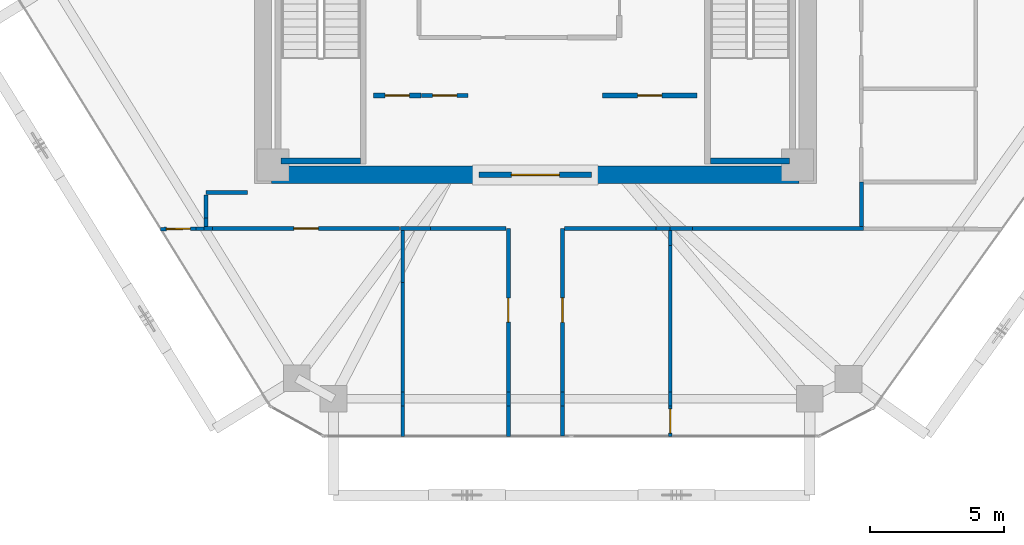
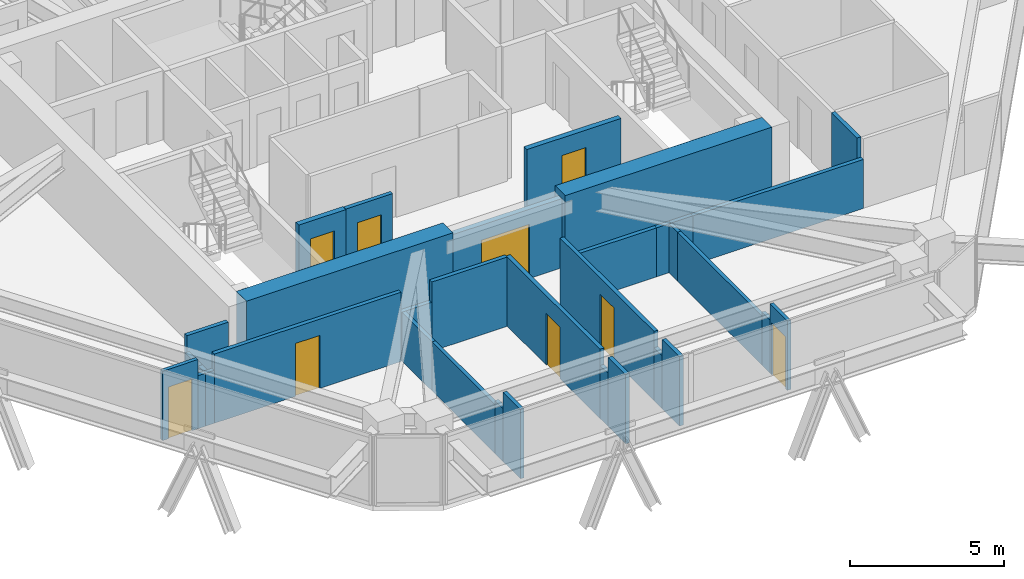
# One storey, part 10 of 15: 36 walls, 9 doors, 9 openings.
"""IFC4 building model written with IfcOpenShell, lengths in metres."""

from ifc_helpers import new_model, si_unit, direction, frame, frame_2d, origin, place, context, subcontext, project, spatial, rectangle, extrude, source, transform, mapped, material, layer, layer_set, type_object, type_shapes, element, fill, save


model = new_model("IFC4")

# Units and contexts
model_context = context("Model", 3, precision=1e-05, world=origin(), true_north=direction((0.0, 1.0)))
body_context = subcontext(model_context, "Body", "Model", "MODEL_VIEW")
ifc_project = project(units=[si_unit("LENGTHUNIT", "METRE"), si_unit("AREAUNIT", "SQUARE_METRE"), si_unit("VOLUMEUNIT", "CUBIC_METRE"), si_unit("PLANEANGLEUNIT", "RADIAN"), si_unit("MASSUNIT", "GRAM", prefix="KILO")], contexts=[model_context])

# Site, building, storey
site_placement = place(None, origin())
site = spatial("IfcSite", under=ifc_project, at=site_placement, CompositionType="ELEMENT")
building_placement = place(site_placement, origin())
building = spatial("IfcBuilding", under=site, at=building_placement, Name="Durnholm Broadcast Tower", CompositionType="ELEMENT")
storey_placement = place(building_placement, frame((0.0, 0.0, 206.199951171875)))
storey = spatial("IfcBuildingStorey", under=building, at=storey_placement, Name="L57", CompositionType="ELEMENT", Elevation=206.199951171875)

# Walls
ifc_material_1 = material(Name="Concrete C70/85", Category="concrete")
ifc_layer_1 = layer(ifc_material_1, 0.64990234375)
ifc_layer_set_1 = layer_set([ifc_layer_1], Name="Concrete C70/85")
wall_type_1 = type_object("IfcWallType", Name="WALL-CW-650", PredefinedType="SHEAR", material=ifc_layer_set_1)
for number, where, z_axis, x_axis, name in (
    (1, (-9.85009765625, -8.175048828125, 0.0), (0.0, 0.0, 1.0), (1.0, 0.0, 0.0), "L57 central core shear wall CW-S1"),
    (2, (2.10009765625, -8.175048828125, 0.0), (0.0, 0.0, 1.0), (1.0, 0.0, 0.0), "L57 central core shear wall CW-S2"),
):
    element("IfcWall", number, at=place(storey_placement, frame(where, z_axis=z_axis, x_axis=x_axis)), inside=storey, type_object=wall_type_1, Name=name, PredefinedType="SHEAR", context=body_context, shape_type="SweptSolid", body=[
        extrude(rectangle(XDim=7.75, YDim=0.64990234375, at=frame_2d((3.875, 0.0))), origin(), (0.0, 0.0, 1.0), 3.0),
    ])

# Wall, opening, door
ifc_material_2 = material(Name="Fire-Rated Gypsum Shaftwall", Category="concrete")
ifc_layer_2 = layer(ifc_material_2, 0.199951171875)
ifc_layer_set_2 = layer_set([ifc_layer_2], Name="Fire-Rated Gypsum Shaftwall")
wall_type_2 = type_object("IfcWallType", Name="WALL-LOB-200", PredefinedType="SOLIDWALL", material=ifc_layer_set_2)
wall_1_placement = place(storey_placement, frame((-2.10009765625, -8.175048828125, 0.0), z_axis=(0.0, 0.0, 1.0), x_axis=(1.0, 0.0, 0.0)))
wall_1 = element("IfcWall", 3, at=wall_1_placement, inside=storey, type_object=wall_type_2, Name="L57 south core lobby fire screen", PredefinedType="SOLIDWALL", context=body_context, shape_type="SweptSolid", body=[
    extrude(rectangle(XDim=4.2001953125, YDim=0.199951171875, at=frame_2d((2.10009765625, 0.0))), origin(), (0.0, 0.0, 1.0), 2.7451171875),
])
opening_1_placement = place(wall_1_placement, frame((1.199951171875, 0.0, 0.0)))
opening_1 = element("IfcOpeningElement", 4, at=opening_1_placement, cuts=wall_1, Name="Opening DP-60", PredefinedType="OPENING", context=body_context, shape_type="SweptSolid", body=[
    extrude(rectangle(XDim=1.800048828125, YDim=2.14990234375, at=frame_2d((0.89990234375, 1.074951171875))), frame((0.0, 0.10986328125, 0.0), z_axis=(0.0, -1.0, 0.0), x_axis=(1.0, 0.0, 0.0)), (0.0, 0.0, 1.0), 0.219970703125),
])
ifc_material_3 = material(Name="Fire-Rated Double Corridor Door", Category="steel")
ifc_layer_3 = layer(ifc_material_3, 0.050048828125)
ifc_layer_set_3 = layer_set([ifc_layer_3], Name="Fire-Rated Double Corridor Door")
door_type_1 = type_object("IfcDoorType", Name="DOOR-PAIR-FD60", OperationType="DOUBLE_DOOR_SINGLE_SWING", PredefinedType="DOOR", material=ifc_layer_set_3)
shared_shape_1 = source(origin(), body_context, "Body", "SweptSolid", [
    extrude(rectangle(XDim=1.800048828125, YDim=2.14990234375, at=frame_2d((0.89990234375, 1.074951171875))), frame((0.0, 0.02490234375, 0.0), z_axis=(0.0, -1.0, 0.0), x_axis=(1.0, 0.0, 0.0)), (0.0, 0.0, 1.0), 0.050048828125),
])
type_shapes(door_type_1, [shared_shape_1])
door_1_placement = place(opening_1_placement, origin())
door_1 = element("IfcDoor", 5, at=door_1_placement, inside=storey, type_object=door_type_1, Name="L57 south core lobby double fire door", OperationType="DOUBLE_DOOR_SINGLE_SWING", OverallHeight=2.14990234375, OverallWidth=1.800048828125, PredefinedType="DOOR", context=body_context, shape_type="MappedRepresentation", body=[
    mapped(shared_shape_1, transform((0.0, 0.0, 0.0), x_axis=(1.0, 0.0, 0.0), y_axis=(0.0, 1.0, 0.0), z_axis=(0.0, 0.0, 1.0), scale=1.0)),
])
fill(opening_1, door_1)

wall_2_placement = place(storey_placement, frame((-6.0400390625, -5.2099609375, 0.0), z_axis=(0.0, 0.0, 1.0), x_axis=(1.0, 0.0, 0.0)))
wall_2 = element("IfcWall", 6, at=wall_2_placement, inside=storey, type_object=wall_type_2, Name="L57 Media Fiber Patch Room corridor partition", PredefinedType="SOLIDWALL", context=body_context, shape_type="SweptSolid", body=[
    extrude(rectangle(XDim=1.760009765625, YDim=0.199951171875, at=frame_2d((0.8798828125, 0.0))), origin(), (0.0, 0.0, 1.0), 2.7451171875),
])
opening_2_placement = place(wall_2_placement, frame((0.429931640625, 0.0, 0.0)))
opening_2 = element("IfcOpeningElement", 7, at=opening_2_placement, cuts=wall_2, Name="Opening DC-60R", PredefinedType="OPENING", context=body_context, shape_type="SweptSolid", body=[
    extrude(rectangle(XDim=0.89990234375, YDim=2.050048828125, at=frame_2d((0.449951171875, 1.02490234375))), frame((0.0, 0.10986328125, 0.0), z_axis=(0.0, -1.0, 0.0), x_axis=(1.0, 0.0, 0.0)), (0.0, 0.0, 1.0), 0.219970703125),
])
ifc_material_4 = material(Name="Fire-Rated Core Service Door", Category="steel")
ifc_layer_4 = layer(ifc_material_4, 0.050048828125)
ifc_layer_set_4 = layer_set([ifc_layer_4], Name="Fire-Rated Core Service Door")
door_type_2 = type_object("IfcDoorType", Name="DOOR-CORE-FD60-R", OperationType="NOTDEFINED", PredefinedType="DOOR", material=ifc_layer_set_4)
shared_shape_2 = source(origin(), body_context, "Body", "SweptSolid", [
    extrude(rectangle(XDim=0.89990234375, YDim=2.050048828125, at=frame_2d((0.449951171875, 1.02490234375))), frame((0.0, 0.02490234375, 0.0), z_axis=(0.0, -1.0, 0.0), x_axis=(1.0, 0.0, 0.0)), (0.0, 0.0, 1.0), 0.050048828125),
])
type_shapes(door_type_2, [shared_shape_2])
door_2_placement = place(opening_2_placement, origin())
door_2 = element("IfcDoor", 8, at=door_2_placement, inside=storey, type_object=door_type_2, Name="L57 Media Fiber Patch Room entrance door", OperationType="SINGLE_SWING_RIGHT", OverallHeight=2.050048828125, OverallWidth=0.89990234375, PredefinedType="DOOR", context=body_context, shape_type="MappedRepresentation", body=[
    mapped(shared_shape_2, transform((0.0, 0.0, 0.0), x_axis=(1.0, 0.0, 0.0), y_axis=(0.0, 1.0, 0.0), z_axis=(0.0, 0.0, 1.0), scale=1.0)),
])
fill(opening_2, door_2)

wall_3_placement = place(storey_placement, frame((2.510009765625, -5.2099609375, 0.0), z_axis=(0.0, 0.0, 1.0), x_axis=(1.0, 0.0, 0.0)))
wall_3 = element("IfcWall", 9, at=wall_3_placement, inside=storey, type_object=wall_type_2, Name="L57 Telemetry Control Closet corridor partition", PredefinedType="SOLIDWALL", context=body_context, shape_type="SweptSolid", body=[
    extrude(rectangle(XDim=3.530029296875, YDim=0.199951171875, at=frame_2d((1.76513671875, 0.0))), origin(), (0.0, 0.0, 1.0), 2.7451171875),
])
opening_3_placement = place(wall_3_placement, frame((1.31494140625, 0.0, 0.0)))
opening_3 = element("IfcOpeningElement", 10, at=opening_3_placement, cuts=wall_3, Name="Opening DC-60R", PredefinedType="OPENING", context=body_context, shape_type="SweptSolid", body=[
    extrude(rectangle(XDim=0.89990234375, YDim=2.050048828125, at=frame_2d((0.449951171875, 1.02490234375))), frame((0.0, 0.10986328125, 0.0), z_axis=(0.0, -1.0, 0.0), x_axis=(1.0, 0.0, 0.0)), (0.0, 0.0, 1.0), 0.219970703125),
])
door_3_placement = place(opening_3_placement, origin())
door_3 = element("IfcDoor", 11, at=door_3_placement, inside=storey, type_object=door_type_2, Name="L57 Telemetry Control Closet entrance door", OperationType="SINGLE_SWING_RIGHT", OverallHeight=2.050048828125, OverallWidth=0.89990234375, PredefinedType="DOOR", context=body_context, shape_type="MappedRepresentation", body=[
    mapped(shared_shape_2, transform((0.0, 0.0, 0.0), x_axis=(1.0, 0.0, 0.0), y_axis=(0.0, 1.0, 0.0), z_axis=(0.0, 0.0, 1.0), scale=1.0)),
])
fill(opening_3, door_3)

# Walls
ifc_material_5 = material(Name="Gypsum Metal Stud Partition", Category="concrete")
ifc_layer_5 = layer(ifc_material_5, 0.135009765625)
ifc_layer_set_5 = layer_set([ifc_layer_5], Name="Gypsum Metal Stud Partition")
wall_type_3 = type_object("IfcWallType", Name="WALL-PART-135", PredefinedType="PARTITIONING", material=ifc_layer_set_5)
wall_4_placement = place(storey_placement, frame((-4.9599609375, -12.198974609375, 0.0), z_axis=(0.0, 0.0, 1.0), x_axis=(0.0, -1.0, 0.0)))
element("IfcWall", 12, at=wall_4_placement, inside=storey, type_object=wall_type_3, Name="L57 room dividing partition 19.20", PredefinedType="PARTITIONING", context=body_context, shape_type="SweptSolid", body=[
    extrude(rectangle(XDim=4.08056640625, YDim=0.135009765625, at=frame_2d((2.040283203125, 0.0))), origin(), (0.0, 0.0, 1.0), 1.94189453125),
])
wall_5_placement = place(storey_placement, frame((-4.9599609375, -16.804443359375, 0.0), z_axis=(0.0, 0.0, 1.0), x_axis=(0.0, -1.0, 0.0)))
element("IfcWall", 13, at=wall_5_placement, inside=storey, type_object=wall_type_3, Name="L57 room dividing partition 19.20", PredefinedType="PARTITIONING", context=body_context, shape_type="SweptSolid", body=[
    extrude(rectangle(XDim=1.137451171875, YDim=0.135009765625, at=frame_2d((0.56884765625, 0.0))), origin(), (0.0, 0.0, 1.0), 2.7451171875),
])
wall_6_placement = place(storey_placement, frame((-4.9599609375, -10.259033203125, 0.0), z_axis=(0.0, 0.0, 1.0), x_axis=(0.0, -1.0, 0.0)))
element("IfcWall", 14, at=wall_6_placement, inside=storey, type_object=wall_type_3, Name="L57 room dividing partition 19.20", PredefinedType="PARTITIONING", context=body_context, shape_type="SweptSolid", body=[
    extrude(rectangle(XDim=1.93994140625, YDim=0.135009765625, at=frame_2d((0.969970703125, 0.0))), origin(), (0.0, 0.0, 1.0), 1.94189453125),
])
wall_7_placement = place(storey_placement, frame((-4.9599609375, -16.279541015625, 0.0), z_axis=(0.0, 0.0, 1.0), x_axis=(0.0, -1.0, 0.0)))
element("IfcWall", 15, at=wall_7_placement, inside=storey, type_object=wall_type_3, Name="L57 room dividing partition 19.20", PredefinedType="PARTITIONING", context=body_context, shape_type="SweptSolid", body=[
    extrude(rectangle(XDim=0.52490234375, YDim=0.135009765625, at=frame_2d((0.262451171875, 0.0))), origin(), (0.0, 0.0, 1.0), 2.098876953125),
])

# Wall, opening, door
wall_8_placement = place(storey_placement, frame((-14.00390625, -10.200927734375, 0.0), z_axis=(0.0, 0.0, 1.0), x_axis=(0.999924024946, 0.012326570317, 0.0)))
wall_8 = element("IfcWall", 16, at=wall_8_placement, inside=storey, type_object=wall_type_3, Name="L57 room dividing partition 19.23", PredefinedType="PARTITIONING", context=body_context, shape_type="SweptSolid", body=[
    extrude(rectangle(XDim=1.326904296875, YDim=0.135009765625, at=frame_2d((0.66357421875, 0.0))), origin(), (0.0, 0.0, 1.0), 2.7451171875),
])
opening_4_placement = place(wall_8_placement, frame((0.213623046875, 0.0, 0.0)))
opening_4 = element("IfcOpeningElement", 17, at=opening_4_placement, cuts=wall_8, Name="Opening DW-90L", PredefinedType="OPENING", context=body_context, shape_type="SweptSolid", body=[
    extrude(rectangle(XDim=0.89990234375, YDim=2.050048828125, at=frame_2d((0.449951171875, 1.02490234375))), frame((0.0, 0.07763671875, 0.0), z_axis=(0.0, -1.0, 0.0), x_axis=(1.0, 0.0, 0.0)), (0.0, 0.0, 1.0), 0.155029296875),
])
ifc_material_6 = material(Name="Laminate Restroom Door", Category="steel")
ifc_layer_6 = layer(ifc_material_6, 0.050048828125)
ifc_layer_set_6 = layer_set([ifc_layer_6], Name="Laminate Restroom Door")
door_type_3 = type_object("IfcDoorType", Name="DOOR-WC-900L", OperationType="NOTDEFINED", PredefinedType="DOOR", material=ifc_layer_set_6)
shared_shape_3 = source(origin(), body_context, "Body", "SweptSolid", [
    extrude(rectangle(XDim=0.89990234375, YDim=2.050048828125, at=frame_2d((0.449951171875, 1.02490234375))), frame((0.0, 0.02490234375, 0.0), z_axis=(0.0, -1.0, 0.0), x_axis=(1.0, 0.0, 0.0)), (0.0, 0.0, 1.0), 0.050048828125),
])
type_shapes(door_type_3, [shared_shape_3])
door_4_placement = place(opening_4_placement, origin())
door_4 = element("IfcDoor", 18, at=door_4_placement, inside=storey, type_object=door_type_3, Name="L57 Licensing Meeting Room connecting door", OperationType="SINGLE_SWING_LEFT", OverallHeight=2.050048828125, OverallWidth=0.89990234375, PredefinedType="DOOR", context=body_context, shape_type="MappedRepresentation", body=[
    mapped(shared_shape_3, transform((0.0, 0.0, 0.0), x_axis=(1.0, 0.0, 0.0), y_axis=(0.0, 1.0, 0.0), z_axis=(0.0, 0.0, 1.0), scale=1.0)),
])
fill(opening_4, door_4)

# Walls
wall_9_placement = place(storey_placement, frame((-12.677001953125, -10.1845703125, 0.0), z_axis=(0.0, 0.0, 1.0), x_axis=(0.99991866361, 0.012754064587, 0.0)))
element("IfcWall", 19, at=wall_9_placement, inside=storey, type_object=wall_type_3, Name="L57 room dividing partition 19.23", PredefinedType="PARTITIONING", context=body_context, shape_type="SweptSolid", body=[
    extrude(rectangle(XDim=0.287109375, YDim=0.135009765625, at=frame_2d((0.1435546875, 0.0))), origin(), (0.0, 0.0, 1.0), 2.098876953125),
])
wall_10_placement = place(storey_placement, frame((5.0400390625, -10.806884765625, 0.0), z_axis=(0.0, 0.0, 1.0), x_axis=(0.0, -1.0, 0.0)))
element("IfcWall", 20, at=wall_10_placement, inside=storey, type_object=wall_type_3, Name="L57 room dividing partition 21.22", PredefinedType="PARTITIONING", context=body_context, shape_type="SweptSolid", body=[
    extrude(rectangle(XDim=5.47265625, YDim=0.135009765625, at=frame_2d((2.736328125, 0.0))), origin(), (0.0, 0.0, 1.0), 1.94189453125),
])

# Wall, opening, door
wall_11_placement = place(storey_placement, frame((5.0400390625, -16.804443359375, 0.0), z_axis=(0.0, 0.0, 1.0), x_axis=(0.0, -1.0, 0.0)))
wall_11 = element("IfcWall", 21, at=wall_11_placement, inside=storey, type_object=wall_type_3, Name="L57 room dividing partition 21.22", PredefinedType="PARTITIONING", context=body_context, shape_type="SweptSolid", body=[
    extrude(rectangle(XDim=1.137451171875, YDim=0.135009765625, at=frame_2d((0.56884765625, 0.0))), origin(), (0.0, 0.0, 1.0), 2.7451171875),
])
opening_5_placement = place(wall_11_placement, frame((0.11865234375, 0.0, 0.0)))
opening_5 = element("IfcOpeningElement", 22, at=opening_5_placement, cuts=wall_11, Name="Opening DW-90L", PredefinedType="OPENING", context=body_context, shape_type="SweptSolid", body=[
    extrude(rectangle(XDim=0.89990234375, YDim=2.050048828125, at=frame_2d((0.449951171875, 1.02490234375))), frame((0.0, 0.07763671875, 0.0), z_axis=(0.0, -1.0, 0.0), x_axis=(1.0, 0.0, 0.0)), (0.0, 0.0, 1.0), 0.155029296875),
])
door_5_placement = place(opening_5_placement, origin())
door_5 = element("IfcDoor", 23, at=door_5_placement, inside=storey, type_object=door_type_3, Name="L57 Soundtrack Mixing Office connecting door", OperationType="SINGLE_SWING_LEFT", OverallHeight=2.050048828125, OverallWidth=0.89990234375, PredefinedType="DOOR", context=body_context, shape_type="MappedRepresentation", body=[
    mapped(shared_shape_3, transform((0.0, 0.0, 0.0), x_axis=(1.0, 0.0, 0.0), y_axis=(0.0, 1.0, 0.0), z_axis=(0.0, 0.0, 1.0), scale=1.0)),
])
fill(opening_5, door_5)

# Walls
wall_12_placement = place(storey_placement, frame((5.0400390625, -10.259033203125, 0.0), z_axis=(0.0, 0.0, 1.0), x_axis=(0.0, -1.0, 0.0)))
element("IfcWall", 24, at=wall_12_placement, inside=storey, type_object=wall_type_3, Name="L57 room dividing partition 21.22", PredefinedType="PARTITIONING", context=body_context, shape_type="SweptSolid", body=[
    extrude(rectangle(XDim=0.5478515625, YDim=0.135009765625, at=frame_2d((0.27392578125, 0.0))), origin(), (0.0, 0.0, 1.0), 1.94189453125),
])
wall_13_placement = place(storey_placement, frame((5.0400390625, -16.279541015625, 0.0), z_axis=(0.0, 0.0, 1.0), x_axis=(0.0, -1.0, 0.0)))
element("IfcWall", 25, at=wall_13_placement, inside=storey, type_object=wall_type_3, Name="L57 room dividing partition 21.22", PredefinedType="PARTITIONING", context=body_context, shape_type="SweptSolid", body=[
    extrude(rectangle(XDim=0.52490234375, YDim=0.135009765625, at=frame_2d((0.262451171875, 0.0))), origin(), (0.0, 0.0, 1.0), 2.098876953125),
])

# Wall, opening, door
ifc_material_7 = material(Name="Acoustic Gypsum Stud Partition", Category="concrete")
ifc_layer_7 = layer(ifc_material_7, 0.14990234375)
ifc_layer_set_7 = layer_set([ifc_layer_7], Name="Acoustic Gypsum Stud Partition")
wall_type_4 = type_object("IfcWallType", Name="WALL-PART-150", PredefinedType="PARTITIONING", material=ifc_layer_set_7)
wall_14_placement = place(storey_placement, frame((-4.260009765625, -5.2099609375, 0.0), z_axis=(0.0, 0.0, 1.0), x_axis=(1.0, 0.0, 0.0)))
wall_14 = element("IfcWall", 26, at=wall_14_placement, inside=storey, type_object=wall_type_4, Name="L57 Copy and Print Room corridor partition", PredefinedType="PARTITIONING", context=body_context, shape_type="SweptSolid", body=[
    extrude(rectangle(XDim=1.75, YDim=0.14990234375, at=frame_2d((0.875, 0.0))), origin(), (0.0, 0.0, 1.0), 2.7451171875),
])
opening_6_placement = place(wall_14_placement, frame((0.425048828125, 0.0, 0.0)))
opening_6 = element("IfcOpeningElement", 27, at=opening_6_placement, cuts=wall_14, Name="Opening DC-60L", PredefinedType="OPENING", context=body_context, shape_type="SweptSolid", body=[
    extrude(rectangle(XDim=0.89990234375, YDim=2.050048828125, at=frame_2d((0.449951171875, 1.02490234375))), frame((0.0, 0.0849609375, 0.0), z_axis=(0.0, -1.0, 0.0), x_axis=(1.0, 0.0, 0.0)), (0.0, 0.0, 1.0), 0.169921875),
])
ifc_layer_8 = layer(ifc_material_4, 0.050048828125)
ifc_layer_set_8 = layer_set([ifc_layer_8], Name="Fire-Rated Core Service Door")
door_type_4 = type_object("IfcDoorType", Name="DOOR-CORE-FD60-L", OperationType="NOTDEFINED", PredefinedType="DOOR", material=ifc_layer_set_8)
shared_shape_4 = source(origin(), body_context, "Body", "SweptSolid", [
    extrude(rectangle(XDim=0.89990234375, YDim=2.050048828125, at=frame_2d((0.449951171875, 1.02490234375))), frame((0.0, 0.02490234375, 0.0), z_axis=(0.0, -1.0, 0.0), x_axis=(1.0, 0.0, 0.0)), (0.0, 0.0, 1.0), 0.050048828125),
])
type_shapes(door_type_4, [shared_shape_4])
door_6_placement = place(opening_6_placement, origin())
door_6 = element("IfcDoor", 28, at=door_6_placement, inside=storey, type_object=door_type_4, Name="L57 Copy and Print Room entrance door", OperationType="SINGLE_SWING_LEFT", OverallHeight=2.050048828125, OverallWidth=0.89990234375, PredefinedType="DOOR", context=body_context, shape_type="MappedRepresentation", body=[
    mapped(shared_shape_4, transform((0.0, 0.0, 0.0), x_axis=(1.0, 0.0, 0.0), y_axis=(0.0, 1.0, 0.0), z_axis=(0.0, 0.0, 1.0), scale=1.0)),
])
fill(opening_6, door_6)

wall_15_placement = place(storey_placement, frame((-12.0625, -10.179931640625, 0.0), z_axis=(0.0, 0.0, 1.0), x_axis=(1.0, 0.0, 0.0)))
wall_15 = element("IfcWall", 29, at=wall_15_placement, inside=storey, type_object=wall_type_4, Name="L57 Open Plan Broadcast Workspace 2 corridor partition", PredefinedType="PARTITIONING", context=body_context, shape_type="SweptSolid", body=[
    extrude(rectangle(XDim=6.992431640625, YDim=0.14990234375, at=frame_2d((3.49609375, 0.0))), origin(), (0.0, 0.0, 1.0), 2.7451171875),
])
opening_7_placement = place(wall_15_placement, frame((3.0361328125, 0.0, 0.0)))
opening_7 = element("IfcOpeningElement", 30, at=opening_7_placement, cuts=wall_15, Name="Opening DR-92R", PredefinedType="OPENING", context=body_context, shape_type="SweptSolid", body=[
    extrude(rectangle(XDim=0.919921875, YDim=2.10009765625, at=frame_2d((0.4599609375, 1.050048828125))), frame((0.0, 0.0849609375, 0.0), z_axis=(0.0, -1.0, 0.0), x_axis=(1.0, 0.0, 0.0)), (0.0, 0.0, 1.0), 0.169921875),
])
ifc_material_8 = material(Name="Oak Veneer Office Door", Category="wood")
ifc_layer_9 = layer(ifc_material_8, 0.050048828125)
ifc_layer_set_9 = layer_set([ifc_layer_9], Name="Oak Veneer Office Door")
door_type_5 = type_object("IfcDoorType", Name="DOOR-RM-920R", OperationType="NOTDEFINED", PredefinedType="DOOR", material=ifc_layer_set_9)
shared_shape_5 = source(origin(), body_context, "Body", "SweptSolid", [
    extrude(rectangle(XDim=0.919921875, YDim=2.10009765625, at=frame_2d((0.4599609375, 1.050048828125))), frame((0.0, 0.02490234375, 0.0), z_axis=(0.0, -1.0, 0.0), x_axis=(1.0, 0.0, 0.0)), (0.0, 0.0, 1.0), 0.050048828125),
])
type_shapes(door_type_5, [shared_shape_5])
door_7_placement = place(opening_7_placement, origin())
door_7 = element("IfcDoor", 31, at=door_7_placement, inside=storey, type_object=door_type_5, Name="L57 Open Plan Broadcast Workspace 2 entrance door", OperationType="SINGLE_SWING_RIGHT", OverallHeight=2.10009765625, OverallWidth=0.919921875, PredefinedType="DOOR", context=body_context, shape_type="MappedRepresentation", body=[
    mapped(shared_shape_5, transform((0.0, 0.0, 0.0), x_axis=(1.0, 0.0, 0.0), y_axis=(0.0, 1.0, 0.0), z_axis=(0.0, 0.0, 1.0), scale=1.0)),
])
fill(opening_7, door_7)

# Wall
wall_16_placement = place(storey_placement, frame((-12.389892578125, -10.179931640625, 0.0), z_axis=(0.0, 0.0, 1.0), x_axis=(1.0, 0.0, 0.0)))
element("IfcWall", 32, at=wall_16_placement, inside=storey, type_object=wall_type_4, Name="L57 Open Plan Broadcast Workspace 2 corridor partition", PredefinedType="PARTITIONING", context=body_context, shape_type="SweptSolid", body=[
    extrude(rectangle(XDim=0.327392578125, YDim=0.14990234375, at=frame_2d((0.16357421875, 0.0))), origin(), (0.0, 0.0, 1.0), 2.098876953125),
])

# Wall, opening, door
wall_17_placement = place(storey_placement, frame((-1.010009765625, -10.179931640625, 0.0), z_axis=(0.0, 0.0, 1.0), x_axis=(0.0, -1.0, 0.0)))
wall_17 = element("IfcWall", 33, at=wall_17_placement, inside=storey, type_object=wall_type_4, Name="L57 Music Archive Office corridor partition", PredefinedType="PARTITIONING", context=body_context, shape_type="SweptSolid", body=[
    extrude(rectangle(XDim=6.099609375, YDim=0.14990234375, at=frame_2d((3.0498046875, 0.0))), origin(), (0.0, 0.0, 1.0), 2.7451171875),
])
opening_8_placement = place(wall_17_placement, frame((2.599609375, 0.0, 0.0)))
opening_8 = element("IfcOpeningElement", 34, at=opening_8_placement, cuts=wall_17, Name="Opening DC-60L", PredefinedType="OPENING", context=body_context, shape_type="SweptSolid", body=[
    extrude(rectangle(XDim=0.89990234375, YDim=2.050048828125, at=frame_2d((0.449951171875, 1.02490234375))), frame((0.0, 0.0849609375, 0.0), z_axis=(0.0, -1.0, 0.0), x_axis=(1.0, 0.0, 0.0)), (0.0, 0.0, 1.0), 0.169921875),
])
door_8_placement = place(opening_8_placement, origin())
door_8 = element("IfcDoor", 35, at=door_8_placement, inside=storey, type_object=door_type_4, Name="L57 Music Archive Office entrance door", OperationType="SINGLE_SWING_LEFT", OverallHeight=2.050048828125, OverallWidth=0.89990234375, PredefinedType="DOOR", context=body_context, shape_type="MappedRepresentation", body=[
    mapped(shared_shape_4, transform((0.0, 0.0, 0.0), x_axis=(1.0, 0.0, 0.0), y_axis=(0.0, 1.0, 0.0), z_axis=(0.0, 0.0, 1.0), scale=1.0)),
])
fill(opening_8, door_8)

# Walls
wall_18_placement = place(storey_placement, frame((-1.010009765625, -16.804443359375, 0.0), z_axis=(0.0, 0.0, 1.0), x_axis=(0.0, -1.0, 0.0)))
element("IfcWall", 36, at=wall_18_placement, inside=storey, type_object=wall_type_4, Name="L57 Music Archive Office corridor partition", PredefinedType="PARTITIONING", context=body_context, shape_type="SweptSolid", body=[
    extrude(rectangle(XDim=1.137451171875, YDim=0.14990234375, at=frame_2d((0.56884765625, 0.0))), origin(), (0.0, 0.0, 1.0), 2.7451171875),
])
wall_19_placement = place(storey_placement, frame((-1.010009765625, -16.279541015625, 0.0), z_axis=(0.0, 0.0, 1.0), x_axis=(0.0, -1.0, 0.0)))
element("IfcWall", 37, at=wall_19_placement, inside=storey, type_object=wall_type_4, Name="L57 Music Archive Office corridor partition", PredefinedType="PARTITIONING", context=body_context, shape_type="SweptSolid", body=[
    extrude(rectangle(XDim=0.52490234375, YDim=0.14990234375, at=frame_2d((0.262451171875, 0.0))), origin(), (0.0, 0.0, 1.0), 2.098876953125),
])
wall_20_placement = place(storey_placement, frame((-3.912841796875, -10.179931640625, 0.0), z_axis=(0.0, 0.0, 1.0), x_axis=(1.0, 0.0, 0.0)))
element("IfcWall", 38, at=wall_20_placement, inside=storey, type_object=wall_type_4, Name="L57 Music Archive Office corridor partition", PredefinedType="PARTITIONING", context=body_context, shape_type="SweptSolid", body=[
    extrude(rectangle(XDim=2.82373046875, YDim=0.14990234375, at=frame_2d((1.411865234375, 0.0))), origin(), (0.0, 0.0, 1.0), 2.7451171875),
])
wall_21_placement = place(storey_placement, frame((-5.0400390625, -10.179931640625, 0.0), z_axis=(0.0, 0.0, 1.0), x_axis=(1.0, 0.0, 0.0)))
element("IfcWall", 39, at=wall_21_placement, inside=storey, type_object=wall_type_4, Name="L57 Music Archive Office corridor partition", PredefinedType="PARTITIONING", context=body_context, shape_type="SweptSolid", body=[
    extrude(rectangle(XDim=1.127197265625, YDim=0.14990234375, at=frame_2d((0.5634765625, 0.0))), origin(), (0.0, 0.0, 1.0), 1.94189453125),
])
wall_22_placement = place(storey_placement, frame((1.010009765625, -17.94189453125, 0.0), z_axis=(0.0, 0.0, 1.0), x_axis=(0.0, 1.0, 0.0)))
element("IfcWall", 40, at=wall_22_placement, inside=storey, type_object=wall_type_4, Name="L57 Music Rights Office corridor partition", PredefinedType="PARTITIONING", context=body_context, shape_type="SweptSolid", body=[
    extrude(rectangle(XDim=1.137451171875, YDim=0.14990234375, at=frame_2d((0.56884765625, 0.0))), origin(), (0.0, 0.0, 1.0), 2.7451171875),
])

# Wall, opening, door
wall_23_placement = place(storey_placement, frame((1.010009765625, -16.279541015625, 0.0), z_axis=(0.0, 0.0, 1.0), x_axis=(0.0, 1.0, 0.0)))
wall_23 = element("IfcWall", 41, at=wall_23_placement, inside=storey, type_object=wall_type_4, Name="L57 Music Rights Office corridor partition", PredefinedType="PARTITIONING", context=body_context, shape_type="SweptSolid", body=[
    extrude(rectangle(XDim=6.099609375, YDim=0.14990234375, at=frame_2d((3.0498046875, 0.0))), origin(), (0.0, 0.0, 1.0), 2.7451171875),
])
opening_9_placement = place(wall_23_placement, frame((2.589599609375, 0.0, 0.0)))
opening_9 = element("IfcOpeningElement", 42, at=opening_9_placement, cuts=wall_23, Name="Opening DR-92R", PredefinedType="OPENING", context=body_context, shape_type="SweptSolid", body=[
    extrude(rectangle(XDim=0.919921875, YDim=2.10009765625, at=frame_2d((0.4599609375, 1.050048828125))), frame((0.0, 0.0849609375, 0.0), z_axis=(0.0, -1.0, 0.0), x_axis=(1.0, 0.0, 0.0)), (0.0, 0.0, 1.0), 0.169921875),
])
door_9_placement = place(opening_9_placement, origin())
door_9 = element("IfcDoor", 43, at=door_9_placement, inside=storey, type_object=door_type_5, Name="L57 Music Rights Office entrance door", OperationType="SINGLE_SWING_RIGHT", OverallHeight=2.10009765625, OverallWidth=0.919921875, PredefinedType="DOOR", context=body_context, shape_type="MappedRepresentation", body=[
    mapped(shared_shape_5, transform((0.0, 0.0, 0.0), x_axis=(1.0, 0.0, 0.0), y_axis=(0.0, 1.0, 0.0), z_axis=(0.0, 0.0, 1.0), scale=1.0)),
])
fill(opening_9, door_9)

# Walls
wall_24_placement = place(storey_placement, frame((1.010009765625, -16.804443359375, 0.0), z_axis=(0.0, 0.0, 1.0), x_axis=(0.0, 1.0, 0.0)))
element("IfcWall", 44, at=wall_24_placement, inside=storey, type_object=wall_type_4, Name="L57 Music Rights Office corridor partition", PredefinedType="PARTITIONING", context=body_context, shape_type="SweptSolid", body=[
    extrude(rectangle(XDim=0.52490234375, YDim=0.14990234375, at=frame_2d((0.262451171875, 0.0))), origin(), (0.0, 0.0, 1.0), 2.098876953125),
])
wall_25_placement = place(storey_placement, frame((1.089111328125, -10.179931640625, 0.0), z_axis=(0.0, 0.0, 1.0), x_axis=(1.0, 0.0, 0.0)))
element("IfcWall", 45, at=wall_25_placement, inside=storey, type_object=wall_type_4, Name="L57 Music Rights Office corridor partition", PredefinedType="PARTITIONING", context=body_context, shape_type="SweptSolid", body=[
    extrude(rectangle(XDim=3.422119140625, YDim=0.14990234375, at=frame_2d((1.7109375, 0.0))), origin(), (0.0, 0.0, 1.0), 1.94189453125),
])
wall_26_placement = place(storey_placement, frame((4.51123046875, -10.179931640625, 0.0), z_axis=(0.0, 0.0, 1.0), x_axis=(1.0, 0.0, 0.0)))
element("IfcWall", 46, at=wall_26_placement, inside=storey, type_object=wall_type_4, Name="L57 Music Rights Office corridor partition", PredefinedType="PARTITIONING", context=body_context, shape_type="SweptSolid", body=[
    extrude(rectangle(XDim=0.52880859375, YDim=0.14990234375, at=frame_2d((0.264404296875, 0.0))), origin(), (0.0, 0.0, 1.0), 1.94189453125),
])
wall_27_placement = place(storey_placement, frame((5.86962890625, -10.179931640625, 0.0), z_axis=(0.0, 0.0, 1.0), x_axis=(1.0, 0.0, 0.0)))
element("IfcWall", 47, at=wall_27_placement, inside=storey, type_object=wall_type_4, Name="L57 Soundtrack Mixing Office corridor partition", PredefinedType="PARTITIONING", context=body_context, shape_type="SweptSolid", body=[
    extrude(rectangle(XDim=6.390380859375, YDim=0.14990234375, at=frame_2d((3.1953125, 0.0))), origin(), (0.0, 0.0, 1.0), 1.94189453125),
])
wall_28_placement = place(storey_placement, frame((5.0400390625, -10.179931640625, 0.0), z_axis=(0.0, 0.0, 1.0), x_axis=(1.0, 0.0, 0.0)))
element("IfcWall", 48, at=wall_28_placement, inside=storey, type_object=wall_type_4, Name="L57 Soundtrack Mixing Office corridor partition", PredefinedType="PARTITIONING", context=body_context, shape_type="SweptSolid", body=[
    extrude(rectangle(XDim=0.82958984375, YDim=0.14990234375, at=frame_2d((0.414794921875, 0.0))), origin(), (0.0, 0.0, 1.0), 1.94189453125),
])
wall_29_placement = place(storey_placement, frame((-10.760009765625, -8.840087890625, 0.0), z_axis=(0.0, 0.0, 1.0), x_axis=(-1.0, 0.0, 0.0)))
element("IfcWall", 49, at=wall_29_placement, inside=storey, type_object=wall_type_4, Name="L57 Licensing Meeting Room corridor partition", PredefinedType="PARTITIONING", context=body_context, shape_type="SweptSolid", body=[
    extrude(rectangle(XDim=1.550048828125, YDim=0.14990234375, at=frame_2d((0.77490234375, 0.0))), origin(), (0.0, 0.0, 1.0), 2.7451171875),
])
wall_30_placement = place(storey_placement, frame((-12.31005859375, -8.9189453125, 0.0), z_axis=(0.0, 0.0, 1.0), x_axis=(0.0, -1.0, 0.0)))
element("IfcWall", 50, at=wall_30_placement, inside=storey, type_object=wall_type_4, Name="L57 Licensing Meeting Room corridor partition", PredefinedType="PARTITIONING", context=body_context, shape_type="SweptSolid", body=[
    extrude(rectangle(XDim=0.8603515625, YDim=0.14990234375, at=frame_2d((0.43017578125, 0.0))), origin(), (0.0, 0.0, 1.0), 2.098876953125),
])
wall_31_placement = place(storey_placement, frame((-12.31005859375, -9.779296875, 0.0), z_axis=(0.0, 0.0, 1.0), x_axis=(0.0, -1.0, 0.0)))
element("IfcWall", 51, at=wall_31_placement, inside=storey, type_object=wall_type_4, Name="L57 Licensing Meeting Room corridor partition", PredefinedType="PARTITIONING", context=body_context, shape_type="SweptSolid", body=[
    extrude(rectangle(XDim=0.32177734375, YDim=0.14990234375, at=frame_2d((0.160888671875, 0.0))), origin(), (0.0, 0.0, 1.0), 2.098876953125),
])
wall_32_placement = place(storey_placement, frame((12.179931640625, -10.10107421875, 0.0), z_axis=(0.0, 0.0, 1.0), x_axis=(0.0, 1.0, 0.0)))
element("IfcWall", 52, at=wall_32_placement, inside=storey, type_object=wall_type_4, Name="L57 Composer Office 2 corridor partition", PredefinedType="PARTITIONING", context=body_context, shape_type="SweptSolid", body=[
    extrude(rectangle(XDim=1.6611328125, YDim=0.14990234375, at=frame_2d((0.83056640625, 0.0))), origin(), (0.0, 0.0, 1.0), 2.7451171875),
])
ifc_material_9 = material(Name="Concrete C50/60", Category="concrete")
ifc_layer_10 = layer(ifc_material_9, 0.219970703125)
ifc_layer_set_10 = layer_set([ifc_layer_10], Name="Concrete C50/60")
wall_type_5 = type_object("IfcWallType", Name="WALL-SW-220", PredefinedType="SHEAR", material=ifc_layer_set_10)
for number, where, z_axis, x_axis, name in (
    (53, (-9.5, -7.659912109375, -0.239990234375), (0.0, 0.0, 1.0), (1.0, 0.0, 0.0), "L57 stair ST-1 structural shaft wall S"),
    (54, (6.5400390625, -7.659912109375, -0.239990234375), (0.0, 0.0, 1.0), (1.0, 0.0, 0.0), "L57 stair ST-2 structural shaft wall S"),
):
    element("IfcWall", number, at=place(storey_placement, frame(where, z_axis=z_axis, x_axis=x_axis)), inside=storey, type_object=wall_type_5, Name=name, PredefinedType="SHEAR", context=body_context, shape_type="SweptSolid", body=[
        extrude(rectangle(XDim=2.9599609375, YDim=0.219970703125, at=frame_2d((1.47998046875, 0.0))), origin(), (0.0, 0.0, 1.0), 3.0),
    ])

save(model, "model.ifc")
